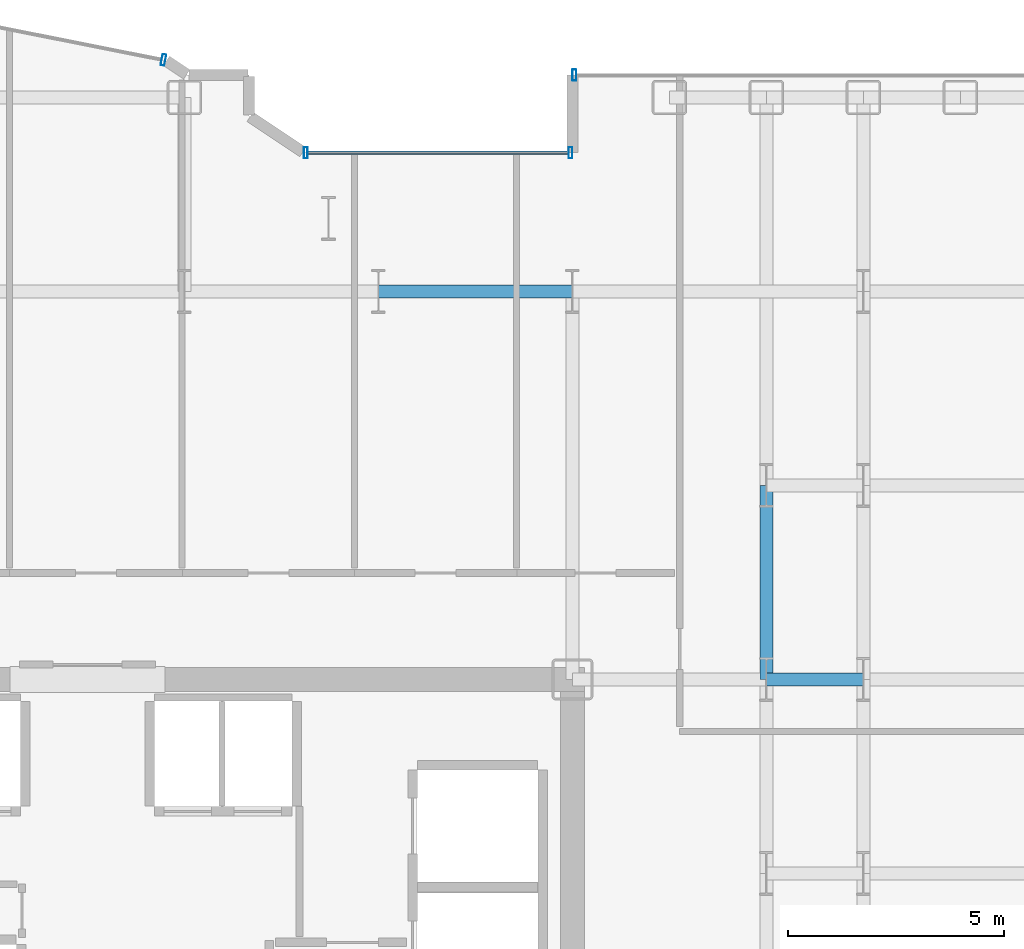
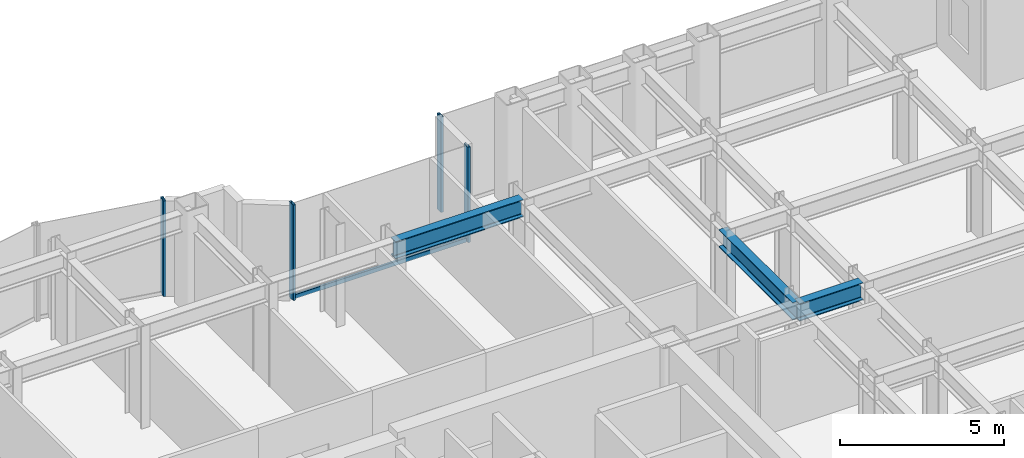
# One storey, part 12 of 26: 5 members, 3 beams, 3 elements without a shape of their own.
"""IFC4 building model written with IfcOpenShell, lengths in metres."""

from ifc_helpers import new_model, si_unit, direction, frame, origin, origin_2d, place, context, subcontext, project, spatial, hollow_rectangle, i_section, extrude, source, transform, mapped, material, layer, layer_set, material_profile, profile_set, type_object, element, aggregate, save


model = new_model("IFC4")

# Units and contexts
model_context = context("Model", 3, precision=1e-05, world=origin(), true_north=direction((0.0, 1.0)))
body_context = subcontext(model_context, "Body", "Model", "MODEL_VIEW")
ifc_project = project(units=[si_unit("LENGTHUNIT", "METRE"), si_unit("AREAUNIT", "SQUARE_METRE"), si_unit("VOLUMEUNIT", "CUBIC_METRE"), si_unit("PLANEANGLEUNIT", "RADIAN"), si_unit("MASSUNIT", "GRAM", prefix="KILO")], contexts=[model_context])

# Site, building, storey
site_placement = place(None, origin())
site = spatial("IfcSite", under=ifc_project, at=site_placement, CompositionType="ELEMENT")
building_placement = place(site_placement, origin())
building = spatial("IfcBuilding", under=site, at=building_placement, Name="Nefas-Gora Pilgrimage Tower", CompositionType="ELEMENT")
storey_placement = place(building_placement, frame((0.0, 0.0, 117.39990234375)))
storey = spatial("IfcBuildingStorey", under=building, at=storey_placement, Name="L28", CompositionType="ELEMENT", Elevation=117.39990234375)

# Beams
ifc_material_1 = material(Name="Steel S355", Category="steel")
ifc_material_profile_1 = material_profile(ifc_material_1, i_section(OverallWidth=0.300048828125, OverallDepth=0.64990234375, WebThickness=0.01611328125, FlangeThickness=0.031005859375, FilletRadius=0.027099609375, at=origin_2d()), Name="HEB 650")
ifc_profile_set_1 = profile_set([ifc_material_profile_1], Name="Steel S355")
beam_type = type_object("IfcBeamType", Name="BM-GIR-HEB650", PredefinedType="BEAM", material=ifc_profile_set_1)
shared_shape_1 = source(origin(), body_context, "Body", "SweptSolid", [
    extrude(i_section(OverallWidth=0.300048828125, OverallDepth=0.64990234375, WebThickness=0.01611328125, FlangeThickness=0.031005859375, FilletRadius=0.027099609375, at=origin_2d()), origin(), (0.0, 0.0, 1.0), 4.5),
])
for number, where, z_axis, x_axis, name in (
    (1, (6.75, 18.0, 3.22509765625), (1.0, 0.0, 0.0), (0.0, 1.0, 0.0), "L28 G-03 beam"),
    (2, (15.75, 9.0, 3.22509765625), (0.0, 1.0, 0.0), (-1.0, 0.0, 0.0), "L28 G-03 beam"),
):
    element("IfcBeam", number, at=place(storey_placement, frame(where, z_axis=z_axis, x_axis=x_axis)), inside=storey, type_object=beam_type, Name=name, PredefinedType="BEAM", context=body_context, shape_type="MappedRepresentation", body=[
        mapped(shared_shape_1, transform((0.0, 0.0, 0.0), x_axis=(1.0, 0.0, 0.0), y_axis=(0.0, 1.0, 0.0), z_axis=(0.0, 0.0, 1.0), scale=1.0)),
    ])
shared_shape_2 = source(origin(), body_context, "Body", "SweptSolid", [
    extrude(i_section(OverallWidth=0.300048828125, OverallDepth=0.64990234375, WebThickness=0.01611328125, FlangeThickness=0.031005859375, FilletRadius=0.027099609375, at=origin_2d()), origin(), (0.0, 0.0, 1.0), 2.25),
])
beam_placement = place(storey_placement, frame((15.75, 9.0, 3.22509765625), z_axis=(1.0, 0.0, 0.0), x_axis=(0.0, 1.0, 0.0)))
element("IfcBeam", 3, at=beam_placement, inside=storey, type_object=beam_type, Name="L28 G-03 beam", PredefinedType="BEAM", context=body_context, shape_type="MappedRepresentation", body=[
    mapped(shared_shape_2, transform((0.0, 0.0, 0.0), x_axis=(1.0, 0.0, 0.0), y_axis=(0.0, 1.0, 0.0), z_axis=(0.0, 0.0, 1.0), scale=1.0)),
])

# Curtain wall, members
ifc_material_2 = material(Name="Dark ceramic-fritted solar-control aluminium-glass curtain wall", Category="aluminium")
ifc_layer_1 = layer(ifc_material_2, 0.219970703125)
ifc_layer_set_1 = layer_set([ifc_layer_1], Name="Dark ceramic-fritted solar-control aluminium-glass curtain wall")
curtain_wall_type_1 = type_object("IfcCurtainWallType", Name="CW-SYS-5", PredefinedType="NOTDEFINED", material=ifc_layer_set_1)
curtain_wall_1_placement = place(storey_placement, origin())
curtain_wall_1 = element("IfcCurtainWall", 4, at=curtain_wall_1_placement, inside=storey, type_object=curtain_wall_type_1, Name="L28 Unitised Curtain Wall CW5", PredefinedType="NOTDEFINED")
ifc_material_3 = material(Name="Anodised architectural aluminium", Category="aluminium")
ifc_material_profile_2 = material_profile(ifc_material_3, hollow_rectangle(XDim=0.090087890625, YDim=0.260009765625, WallThickness=0.006103515625, InnerFilletRadius=0.006103515625, OuterFilletRadius=0.011962890625, at=origin_2d()), Name="ALU MULLION 90x260")
ifc_profile_set_2 = profile_set([ifc_material_profile_2], Name="Anodised architectural aluminium")
member_type_1 = type_object("IfcMemberType", Name="CWM-MUL-5", PredefinedType="MULLION", material=ifc_profile_set_2)
shared_shape_3 = source(origin(), body_context, "Body", "SweptSolid", [
    extrude(hollow_rectangle(XDim=0.090087890625, YDim=0.260009765625, WallThickness=0.006103515625, InnerFilletRadius=0.006103515625, OuterFilletRadius=0.011962890625, at=origin_2d()), origin(), (0.0, 0.0, 1.0), 3.550048828125),
])
member_1_placement = place(storey_placement, frame((11.205078125, 21.219970703125, 0.0), z_axis=(0.0, 0.0, 1.0), x_axis=(-1.0, 0.0, 0.0)))
member_1 = element("IfcMember", 5, at=member_1_placement, type_object=member_type_1, Name="CW5 Mullion 1", PredefinedType="MULLION", context=body_context, shape_type="MappedRepresentation", body=[
    mapped(shared_shape_3, transform((0.0, 0.0, 0.0), x_axis=(1.0, 0.0, 0.0), y_axis=(0.0, 1.0, 0.0), z_axis=(0.0, 0.0, 1.0), scale=1.0)),
])
member_2_placement = place(storey_placement, frame((5.06298828125, 21.219970703125, 0.0), z_axis=(0.0, 0.0, 1.0), x_axis=(-1.0, 0.0, 0.0)))
member_2 = element("IfcMember", 6, at=member_2_placement, type_object=member_type_1, Name="CW5 Mullion 2", PredefinedType="MULLION", context=body_context, shape_type="MappedRepresentation", body=[
    mapped(shared_shape_3, transform((0.0, 0.0, 0.0), x_axis=(1.0, 0.0, 0.0), y_axis=(0.0, 1.0, 0.0), z_axis=(0.0, 0.0, 1.0), scale=1.0)),
])

# Curtain wall, member
curtain_wall_2_placement = place(storey_placement, origin())
curtain_wall_2 = element("IfcCurtainWall", 7, at=curtain_wall_2_placement, inside=storey, type_object=curtain_wall_type_1, Name="L28 Unitised Curtain Wall CW5", PredefinedType="NOTDEFINED")
member_3_placement = place(storey_placement, frame((1.76318359375, 23.3740234375, 0.0), z_axis=(0.0, 0.0, 1.0), x_axis=(-0.980782896852, 0.195102304554, 0.0)))
member_3 = element("IfcMember", 8, at=member_3_placement, type_object=member_type_1, Name="CW5 Mullion 1", PredefinedType="MULLION", context=body_context, shape_type="MappedRepresentation", body=[
    mapped(shared_shape_3, transform((0.0, 0.0, 0.0), x_axis=(1.0, 0.0, 0.0), y_axis=(0.0, 1.0, 0.0), z_axis=(0.0, 0.0, 1.0), scale=1.0)),
])
aggregate(curtain_wall_2, [member_3])

# Member
ifc_material_profile_3 = material_profile(ifc_material_3, hollow_rectangle(XDim=0.080078125, YDim=0.159912109375, WallThickness=0.00439453125, InnerFilletRadius=0.00439453125, OuterFilletRadius=0.009033203125, at=origin_2d()), Name="ALU TRANSOM 80x160")
ifc_profile_set_3 = profile_set([ifc_material_profile_3], Name="Anodised architectural aluminium")
member_type_2 = type_object("IfcMemberType", Name="CWM-TRN-5", PredefinedType="USERDEFINED", material=ifc_profile_set_3)
shared_shape_4 = source(origin(), body_context, "Body", "SweptSolid", [
    extrude(hollow_rectangle(XDim=0.080078125, YDim=0.159912109375, WallThickness=0.00439453125, InnerFilletRadius=0.00439453125, OuterFilletRadius=0.009033203125, at=origin_2d()), origin(), (0.0, 0.0, 1.0), 6.052001953125),
])
member_4_placement = place(storey_placement, frame((11.159912109375, 21.219970703125, 0.050048828125), z_axis=(-1.0, 0.0, 0.0), x_axis=(0.0, -1.0, 0.0)))
member_4 = element("IfcMember", 9, at=member_4_placement, type_object=member_type_2, Name="CW5 Spandrel Transom", ObjectType="TRANSOM", PredefinedType="USERDEFINED", context=body_context, shape_type="MappedRepresentation", body=[
    mapped(shared_shape_4, transform((0.0, 0.0, 0.0), x_axis=(1.0, 0.0, 0.0), y_axis=(0.0, 1.0, 0.0), z_axis=(0.0, 0.0, 1.0), scale=1.0)),
])

aggregate(curtain_wall_1, [member_1, member_2, member_4])

# Curtain wall, member
ifc_layer_2 = layer(ifc_material_2, 0.219970703125)
ifc_layer_set_2 = layer_set([ifc_layer_2], Name="Dark ceramic-fritted solar-control aluminium-glass curtain wall")
curtain_wall_type_2 = type_object("IfcCurtainWallType", Name="CW-SYS-2", PredefinedType="NOTDEFINED", material=ifc_layer_set_2)
curtain_wall_3_placement = place(storey_placement, origin())
curtain_wall_3 = element("IfcCurtainWall", 10, at=curtain_wall_3_placement, inside=storey, type_object=curtain_wall_type_2, Name="L28 Unitised Curtain Wall CW2", PredefinedType="NOTDEFINED")
ifc_material_profile_4 = material_profile(ifc_material_3, hollow_rectangle(XDim=0.090087890625, YDim=0.260009765625, WallThickness=0.006103515625, InnerFilletRadius=0.006103515625, OuterFilletRadius=0.011962890625, at=origin_2d()), Name="ALU MULLION 90x260")
ifc_profile_set_4 = profile_set([ifc_material_profile_4], Name="Anodised architectural aluminium")
member_type_3 = type_object("IfcMemberType", Name="CWM-MUL-2", PredefinedType="MULLION", material=ifc_profile_set_4)
shared_shape_5 = source(origin(), body_context, "Body", "SweptSolid", [
    extrude(hollow_rectangle(XDim=0.090087890625, YDim=0.260009765625, WallThickness=0.006103515625, InnerFilletRadius=0.006103515625, OuterFilletRadius=0.011962890625, at=origin_2d()), origin(), (0.0, 0.0, 1.0), 3.550048828125),
])
member_5_placement = place(storey_placement, frame((11.294921875, 23.02001953125, 0.0), z_axis=(0.0, 0.0, 1.0), x_axis=(-1.0, 0.0, 0.0)))
member_5 = element("IfcMember", 11, at=member_5_placement, type_object=member_type_3, Name="CW2 Mullion 2", PredefinedType="MULLION", context=body_context, shape_type="MappedRepresentation", body=[
    mapped(shared_shape_5, transform((0.0, 0.0, 0.0), x_axis=(1.0, 0.0, 0.0), y_axis=(0.0, 1.0, 0.0), z_axis=(0.0, 0.0, 1.0), scale=1.0)),
])
aggregate(curtain_wall_3, [member_5])

save(model, "model.ifc")
